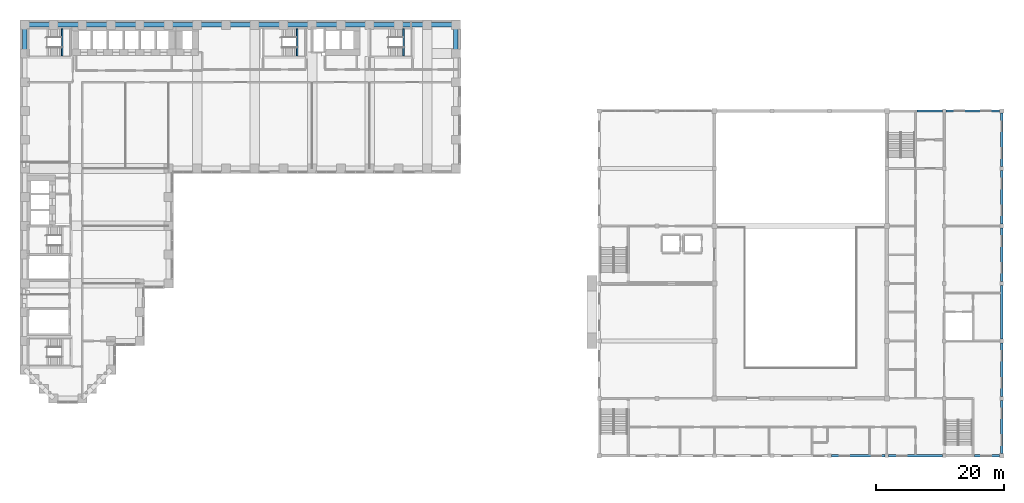
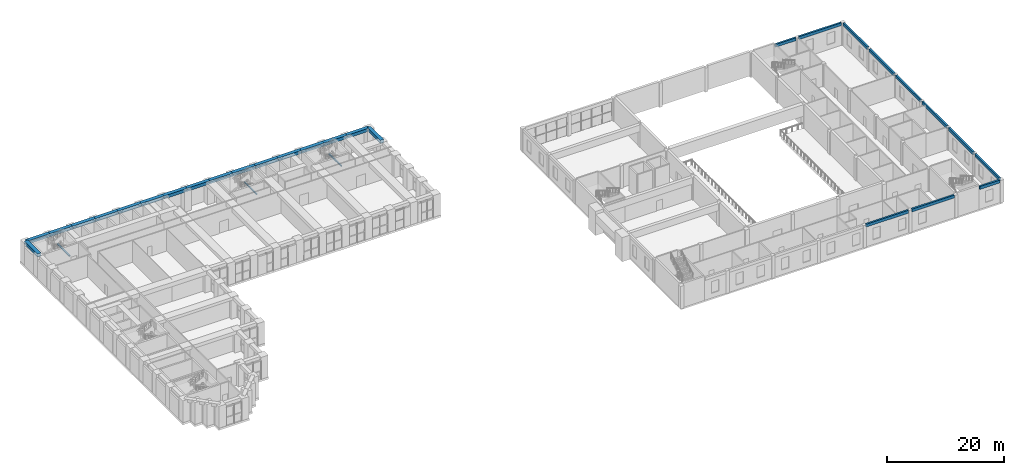
# One storey, part 13 of 34: 31 beams.
"""IFC4 building model written with IfcOpenShell, lengths in metres."""

import ifcopenshell
import ifcopenshell.guid

model = None  # the IFC model being written
_history = None  # IfcOwnerHistory: only IFC2X3 demands one
_inside = {}  # id of a spatial element -> (the spatial element, [elements in it])
_under = {}  # id of a project, library or spatial element -> (it, [spatial elements below it])
_declared = {}  # id of a project -> (the project, [libraries it declares])
_typed = {}  # id of a type object -> (the type object, [elements of that type])
_made_of = {}  # id of a material, layer set ... -> (it, [elements and type objects made of it])


def new_model(schema):
    """Start an empty IFC model of exactly this schema.

    Asked for "IFC4X3", IfcOpenShell would pick the latest addendum, in which some entities
    have other attributes; the version numbers below select the first issue.
    IFC2X3 requires an IfcOwnerHistory on every rooted entity: one is made here for all.
    """
    global model, _history
    if schema == "IFC4X3":
        model = ifcopenshell.file(schema_version=(4, 3, 0, 0))
    else:
        model = ifcopenshell.file(schema=schema)
    _inside.clear()
    _under.clear()
    _declared.clear()
    _typed.clear()
    _made_of.clear()
    _history = None
    if model.schema == "IFC2X3":
        org = make("IfcOrganization", Name="unknown")
        user = make(
            "IfcPersonAndOrganization",
            ThePerson=make("IfcPerson", FamilyName="unknown"),
            TheOrganization=org,
        )
        app = make(
            "IfcApplication",
            ApplicationDeveloper=org,
            Version="unknown",
            ApplicationFullName="unknown",
            ApplicationIdentifier="unknown",
        )
        _history = make(
            "IfcOwnerHistory",
            OwningUser=user,
            OwningApplication=app,
            ChangeAction="ADDED",
            CreationDate=0,
        )
    return model


def make(cls, **values):
    """One entity of the class cls with the attributes given. An attribute that is None is left unset."""
    return model.create_entity(
        cls, **{name: value for name, value in values.items() if value is not None}
    )


def rooted(cls, **values):
    """An entity with a GlobalId (a new one), such as an element, a storey or a relation."""
    return make(cls, GlobalId=ifcopenshell.guid.new(), OwnerHistory=_history, **values)


def si_unit(unit_type, name, prefix=None):
    """IfcSIUnit, for example si_unit("LENGTHUNIT", "METRE", prefix="MILLI")."""
    return make("IfcSIUnit", UnitType=unit_type, Prefix=prefix, Name=name)


def assignment(units):
    """IfcUnitAssignment: the units of a project."""
    return None if units is None else make("IfcUnitAssignment", Units=units)


def point(xyz):
    """IfcCartesianPoint."""
    return None if xyz is None else make("IfcCartesianPoint", Coordinates=xyz)


def direction(xyz):
    """IfcDirection."""
    return None if xyz is None else make("IfcDirection", DirectionRatios=xyz)


def frame(location, z_axis=None, x_axis=None):
    """IfcAxis2Placement3D, a coordinate frame: its origin and axes. An axis left out is left unset."""
    return make(
        "IfcAxis2Placement3D",
        Location=point(location),
        Axis=direction(z_axis),
        RefDirection=direction(x_axis),
    )


def frame_2d(location, x_axis=None):
    """IfcAxis2Placement2D, a coordinate frame in the plane: its origin and x axis."""
    return make(
        "IfcAxis2Placement2D", Location=point(location), RefDirection=direction(x_axis)
    )


def origin():
    """The frame at (0, 0, 0) with its axes left unset."""
    return frame((0.0, 0.0, 0.0))


def origin_2d():
    """The frame at (0, 0) in the plane with its x axis left unset."""
    return frame_2d((0.0, 0.0))


def place(relative_to, where):
    """IfcLocalPlacement: puts the frame where relative to a parent placement (None: the world)."""
    return make(
        "IfcLocalPlacement", PlacementRelTo=relative_to, RelativePlacement=where
    )


def context(
    kind, dimensions, precision=None, world=None, true_north=None, identifier=None
):
    """IfcGeometricRepresentationContext, for example the 3D "Model" context."""
    return make(
        "IfcGeometricRepresentationContext",
        ContextIdentifier=identifier,
        ContextType=kind,
        CoordinateSpaceDimension=dimensions,
        Precision=precision,
        WorldCoordinateSystem=world,
        TrueNorth=true_north,
    )


def subcontext(parent, identifier, kind, view, scale=None):
    """IfcGeometricRepresentationSubContext, for example "Body" below "Model"."""
    return make(
        "IfcGeometricRepresentationSubContext",
        ContextIdentifier=identifier,
        ContextType=kind,
        ParentContext=parent,
        TargetScale=scale,
        TargetView=view,
    )


def project(units=None, contexts=None):
    """IfcProject with its units and contexts."""
    return rooted(
        "IfcProject",
        Name="project",
        RepresentationContexts=contexts,
        UnitsInContext=assignment(units),
    )


def spatial(cls, under=None, at=None, **own):
    """A site, building, storey or space (cls), placed at a placement, below another one or the project."""
    s = rooted(cls, ObjectPlacement=at, **own)
    if under is not None:
        _under.setdefault(under.id(), (under, []))[1].append(s)
    return s


def profile(cls, at=None, kind="AREA", **sizes):
    """A parametric profile (cls). Its sizes go by their IFC names, for example OverallWidth=200.0."""
    return make(cls, ProfileType=kind, Position=at, **sizes)


def rectangle(**sizes):
    """IfcRectangleProfileDef."""
    return profile("IfcRectangleProfileDef", **sizes)


def extrude(swept, where, along, depth):
    """IfcExtrudedAreaSolid: the profile swept, set in the frame where, extruded along a direction by depth."""
    return make(
        "IfcExtrudedAreaSolid",
        SweptArea=swept,
        Position=where,
        ExtrudedDirection=direction(along),
        Depth=depth,
    )


def shape(context_of_items, identifier, shape_type, items):
    """IfcShapeRepresentation: the items that make up one representation, for example the "Body"."""
    return make(
        "IfcShapeRepresentation",
        ContextOfItems=context_of_items,
        RepresentationIdentifier=identifier,
        RepresentationType=shape_type,
        Items=items,
    )


def material(Name=None, Category=None):
    """IfcMaterial."""
    return make("IfcMaterial", Name=Name, Category=Category)


def material_profile(
    of_material, cross_section, Name=None, Category=None, Priority=None
):
    """IfcMaterialProfile: a cross section and its material."""
    return make(
        "IfcMaterialProfile",
        Name=Name,
        Material=of_material,
        Profile=cross_section,
        Priority=Priority,
        Category=Category,
    )


def profile_set(profiles, Name=None, composite=None):
    """IfcMaterialProfileSet."""
    return make(
        "IfcMaterialProfileSet",
        Name=Name,
        MaterialProfiles=profiles,
        CompositeProfile=composite,
    )


def made_of(thing, what):
    """Note that an element or type object is made of a material, layer set ...; save() writes the relation."""
    if what is not None:
        _made_of.setdefault(what.id(), (what, []))[1].append(thing)
    return thing


def type_object(cls, material=None, **own):
    """A type object (cls), such as IfcWallType, which elements share."""
    return made_of(rooted(cls, **own), material)


def element(
    cls,
    number,
    at=None,
    inside=None,
    cuts=None,
    type_object=None,
    material=None,
    context=None,
    identifier="Body",
    shape_type=None,
    held_by="IfcProductDefinitionShape",
    body=None,
    shapes=None,
    **own,
):
    """One element of the class cls, such as IfcWall. Its Tag is "e" and its number.

    at: its placement. inside: the storey or other place that contains it. cuts: it is an
    opening in that element (IfcRelVoidsElement). A single representation is given by context,
    identifier, shape_type and body (its items); several are given by shapes. held_by: the class
    of the entity that holds the representations. save() writes the other relations.
    """
    e = rooted(cls, Tag="e%d" % number, ObjectPlacement=at, **own)
    if body is not None:
        shapes = [shape(context, identifier, shape_type, body)]
    if shapes is not None:
        e.Representation = make(held_by, Representations=shapes)
    if inside is not None:
        _inside.setdefault(inside.id(), (inside, []))[1].append(e)
    if cuts is not None:
        rooted(
            "IfcRelVoidsElement", RelatingBuildingElement=cuts, RelatedOpeningElement=e
        )
    if type_object is not None:
        _typed.setdefault(type_object.id(), (type_object, []))[1].append(e)
    return made_of(e, material)


def aggregate(whole, parts):
    """IfcRelAggregates: a whole, such as a stair, and the parts it consists of."""
    return rooted("IfcRelAggregates", RelatingObject=whole, RelatedObjects=parts)


def save(model, path):
    """Write the relations noted so far, then the file.

    IfcRelAggregates (storeys below a building ...), IfcRelContainedInSpatialStructure (elements
    in a storey), IfcRelDefinesByType, IfcRelAssociatesMaterial and IfcRelDeclares: one each for
    every whole, place, type object, material and project.
    """
    for whole, parts in _under.values():
        aggregate(whole, parts)
    for where, things in _inside.values():
        rooted(
            "IfcRelContainedInSpatialStructure",
            RelatedElements=things,
            RelatingStructure=where,
        )
    for kind, things in _typed.values():
        rooted("IfcRelDefinesByType", RelatedObjects=things, RelatingType=kind)
    for what, things in _made_of.values():
        rooted("IfcRelAssociatesMaterial", RelatedObjects=things, RelatingMaterial=what)
    for by, libraries in _declared.values():
        rooted("IfcRelDeclares", RelatingContext=by, RelatedDefinitions=libraries)
    model.write(path)


model = new_model("IFC4")

# Units and contexts
model_context = context("Model", 3, precision=1e-05, world=origin(), true_north=direction((0.0, 1.0)))
body_context = subcontext(model_context, "Body", "Model", "MODEL_VIEW")
ifc_project = project(units=[si_unit("LENGTHUNIT", "METRE"), si_unit("AREAUNIT", "SQUARE_METRE"), si_unit("VOLUMEUNIT", "CUBIC_METRE"), si_unit("PLANEANGLEUNIT", "RADIAN"), si_unit("MASSUNIT", "GRAM", prefix="KILO")], contexts=[model_context])

# Site, building, storey
site_placement = place(None, origin())
site = spatial("IfcSite", under=ifc_project, at=site_placement, CompositionType="ELEMENT")
building_placement = place(site_placement, origin())
building = spatial("IfcBuilding", under=site, at=building_placement, Name="Firuza Court", CompositionType="ELEMENT")
storey_placement = place(building_placement, frame((0.0, 0.0, 19.0)))
storey = spatial("IfcBuildingStorey", under=building, at=storey_placement, Name="L03", CompositionType="ELEMENT", Elevation=19.0)

# Beams
ifc_material_1 = material(Name="Concrete C40/50", Category="concrete")
ifc_material_profile_1 = material_profile(ifc_material_1, rectangle(XDim=0.25, YDim=0.25, at=origin_2d()), Name="RC 250x250")
ifc_profile_set_1 = profile_set([ifc_material_profile_1], Name="Concrete C40/50")
beam_type_1 = type_object("IfcBeamType", Name="Landing beam RC 250x250 C40/50", PredefinedType="BEAM", material=ifc_profile_set_1)
for number, where, z_axis, x_axis, name in (
    (1, (42.625, 53.64990234375, 2.175048828125), (0.0, 1.0, 0.0), (-1.0, 0.0, 0.0), "Landing beam S1 L03"),
    (2, (5.824951171875, 53.64990234375, 2.175048828125), (0.0, 1.0, 0.0), (-1.0, 0.0, 0.0), "Landing beam S3 L03"),
    (3, (59.324951171875, 53.64990234375, 2.175048828125), (0.0, 1.0, 0.0), (-1.0, 0.0, 0.0), "Landing beam S4 L03"),
):
    element("IfcBeam", number, at=place(storey_placement, frame(where, z_axis=z_axis, x_axis=x_axis)), inside=storey, type_object=beam_type_1, Name=name, PredefinedType="BEAM", context=body_context, shape_type="SweptSolid", body=[
        extrude(rectangle(XDim=0.25, YDim=0.25, at=origin_2d()), origin(), (0.0, 0.0, 1.0), 4.2001953125),
    ])
ifc_material_2 = material(Name="Concrete C40/50", Category="concrete")
ifc_material_profile_2 = material_profile(ifc_material_2, rectangle(XDim=0.35009765625, YDim=0.60009765625, at=origin_2d()), Name="RC 350X600")
ifc_profile_set_2 = profile_set([ifc_material_profile_2], Name="Concrete C40/50")
beam_type_2 = type_object("IfcBeamType", Name="RC RING BEAM 350X600", PredefinedType="BEAM", material=ifc_profile_set_2)
for number, where, z_axis, x_axis, name in (
    (4, (126.300048828125, -9.0, 4.39990234375), (1.0, 0.0, 0.0), (0.0, 1.0, 0.0), "Edge beam S2.1 L03"),
    (5, (135.300048828125, -9.0, 4.39990234375), (1.0, 0.0, 0.0), (0.0, 1.0, 0.0), "Edge beam S4.1 L03"),
):
    element("IfcBeam", number, at=place(storey_placement, frame(where, z_axis=z_axis, x_axis=x_axis)), inside=storey, type_object=beam_type_2, Name=name, PredefinedType="BEAM", context=body_context, shape_type="SweptSolid", body=[
        extrude(rectangle(XDim=0.35009765625, YDim=0.60009765625, at=origin_2d()), origin(), (0.0, 0.0, 1.0), 8.39990234375),
    ])
beam_1_placement = place(storey_placement, frame((139.699951171875, 45.0, 4.39990234375), z_axis=(1.0, 0.0, 0.0), x_axis=(0.0, 1.0, 0.0)))
element("IfcBeam", 6, at=beam_1_placement, inside=storey, type_object=beam_type_2, Name="Edge beam N5.1 L03", PredefinedType="BEAM", context=body_context, shape_type="SweptSolid", body=[
    extrude(rectangle(XDim=0.35009765625, YDim=0.60009765625, at=origin_2d()), origin(), (0.0, 0.0, 1.0), 4.0),
])
beam_2_placement = place(storey_placement, frame((148.699951171875, -9.0, 4.39990234375), z_axis=(1.0, 0.0, 0.0), x_axis=(0.0, 1.0, 0.0)))
element("IfcBeam", 7, at=beam_2_placement, inside=storey, type_object=beam_type_2, Name="Edge beam S6.1 L03", PredefinedType="BEAM", context=body_context, shape_type="SweptSolid", body=[
    extrude(rectangle(XDim=0.35009765625, YDim=0.60009765625, at=origin_2d()), origin(), (0.0, 0.0, 1.0), 3.949951171875),
])
for number, where, z_axis, x_axis, name in (
    (8, (144.300048828125, 45.0, 4.39990234375), (1.0, 0.0, 0.0), (0.0, 1.0, 0.0), "Edge beam N7.1 L03"),
    (9, (153.0, -8.64990234375, 4.39990234375), (0.0, 1.0, 0.0), (-1.0, 0.0, 0.0), "Edge beam E2.1 L03"),
):
    element("IfcBeam", number, at=place(storey_placement, frame(where, z_axis=z_axis, x_axis=x_axis)), inside=storey, type_object=beam_type_2, Name=name, PredefinedType="BEAM", context=body_context, shape_type="SweptSolid", body=[
        extrude(rectangle(XDim=0.35009765625, YDim=0.60009765625, at=origin_2d()), origin(), (0.0, 0.0, 1.0), 8.349853515625),
    ])
for number, where, z_axis, x_axis, name in (
    (10, (153.0, 0.300048828125, 4.39990234375), (0.0, 1.0, 0.0), (-1.0, 0.0, 0.0), "Edge beam E4.1 L03"),
    (11, (153.0, 9.300048828125, 4.39990234375), (0.0, 1.0, 0.0), (-1.0, 0.0, 0.0), "Edge beam E6.1 L03"),
    (12, (153.0, 18.300048828125, 4.39990234375), (0.0, 1.0, 0.0), (-1.0, 0.0, 0.0), "Edge beam E1.1 L03"),
    (13, (153.0, 27.300048828125, 4.39990234375), (0.0, 1.0, 0.0), (-1.0, 0.0, 0.0), "Edge beam E3.1 L03"),
):
    element("IfcBeam", number, at=place(storey_placement, frame(where, z_axis=z_axis, x_axis=x_axis)), inside=storey, type_object=beam_type_2, Name=name, PredefinedType="BEAM", context=body_context, shape_type="SweptSolid", body=[
        extrude(rectangle(XDim=0.35009765625, YDim=0.60009765625, at=origin_2d()), origin(), (0.0, 0.0, 1.0), 8.39990234375),
    ])
beam_3_placement = place(storey_placement, frame((153.0, 36.300048828125, 4.39990234375), z_axis=(0.0, 1.0, 0.0), x_axis=(-1.0, 0.0, 0.0)))
element("IfcBeam", 14, at=beam_3_placement, inside=storey, type_object=beam_type_2, Name="Edge beam E5.1 L03", PredefinedType="BEAM", context=body_context, shape_type="SweptSolid", body=[
    extrude(rectangle(XDim=0.35009765625, YDim=0.60009765625, at=origin_2d()), origin(), (0.0, 0.0, 1.0), 8.349853515625),
])
ifc_material_3 = material(Name="Concrete C40/50", Category="concrete")
ifc_material_profile_3 = material_profile(ifc_material_3, rectangle(XDim=0.699951171875, YDim=0.64990234375, at=origin_2d()), Name="RC 700x650")
ifc_profile_set_3 = profile_set([ifc_material_profile_3], Name="Concrete C40/50")
beam_type_3 = type_object("IfcBeamType", Name="Spandrel beam RC 700x650 C40/50", PredefinedType="BEAM", material=ifc_profile_set_3)
for number, where, z_axis, x_axis, name in (
    (15, (0.0, 58.5, 4.22509765625), (0.0, -1.0, 0.0), (1.0, 0.0, 0.0), "Spandrel beam SP9 level L04"),
    (16, (4.5, 58.5, 4.22509765625), (-1.0, 0.0, 0.0), (0.0, -1.0, 0.0), "Spandrel beam SP9 level L04"),
    (17, (9.0, 58.5, 4.22509765625), (-1.0, 0.0, 0.0), (0.0, -1.0, 0.0), "Spandrel beam SP9 level L04"),
    (18, (13.5, 58.5, 4.22509765625), (-1.0, 0.0, 0.0), (0.0, -1.0, 0.0), "Spandrel beam SP9 level L04"),
    (19, (18.0, 58.5, 4.22509765625), (-1.0, 0.0, 0.0), (0.0, -1.0, 0.0), "Spandrel beam SP9 level L04"),
    (20, (22.5, 58.5, 4.22509765625), (-1.0, 0.0, 0.0), (0.0, -1.0, 0.0), "Spandrel beam SP9 level L04"),
    (21, (27.0, 58.5, 4.22509765625), (-1.0, 0.0, 0.0), (0.0, -1.0, 0.0), "Spandrel beam SP9 level L04"),
    (22, (31.5, 58.5, 4.22509765625), (-1.0, 0.0, 0.0), (0.0, -1.0, 0.0), "Spandrel beam SP9 level L04"),
    (23, (36.0, 58.5, 4.22509765625), (-1.0, 0.0, 0.0), (0.0, -1.0, 0.0), "Spandrel beam SP9 level L04"),
    (24, (40.5, 58.5, 4.22509765625), (-1.0, 0.0, 0.0), (0.0, -1.0, 0.0), "Spandrel beam SP9 level L04"),
    (25, (45.0, 58.5, 4.22509765625), (-1.0, 0.0, 0.0), (0.0, -1.0, 0.0), "Spandrel beam SP9 level L04"),
    (26, (49.5, 58.5, 4.22509765625), (-1.0, 0.0, 0.0), (0.0, -1.0, 0.0), "Spandrel beam SP9 level L04"),
    (27, (54.0, 58.5, 4.22509765625), (-1.0, 0.0, 0.0), (0.0, -1.0, 0.0), "Spandrel beam SP9 level L04"),
    (28, (58.5, 58.5, 4.22509765625), (-1.0, 0.0, 0.0), (0.0, -1.0, 0.0), "Spandrel beam SP9 level L04"),
    (29, (63.0, 58.5, 4.22509765625), (-1.0, 0.0, 0.0), (0.0, -1.0, 0.0), "Spandrel beam SP9 level L04"),
    (30, (67.5, 54.0, 4.22509765625), (0.0, 1.0, 0.0), (-1.0, 0.0, 0.0), "Spandrel beam SP9 level L04"),
    (31, (67.5, 58.5, 4.22509765625), (-1.0, 0.0, 0.0), (0.0, -1.0, 0.0), "Spandrel beam SP9 level L04"),
):
    element("IfcBeam", number, at=place(storey_placement, frame(where, z_axis=z_axis, x_axis=x_axis)), inside=storey, type_object=beam_type_3, Name=name, PredefinedType="BEAM", context=body_context, shape_type="SweptSolid", body=[
        extrude(rectangle(XDim=0.699951171875, YDim=0.64990234375, at=origin_2d()), origin(), (0.0, 0.0, 1.0), 4.5),
    ])

save(model, "model.ifc")
